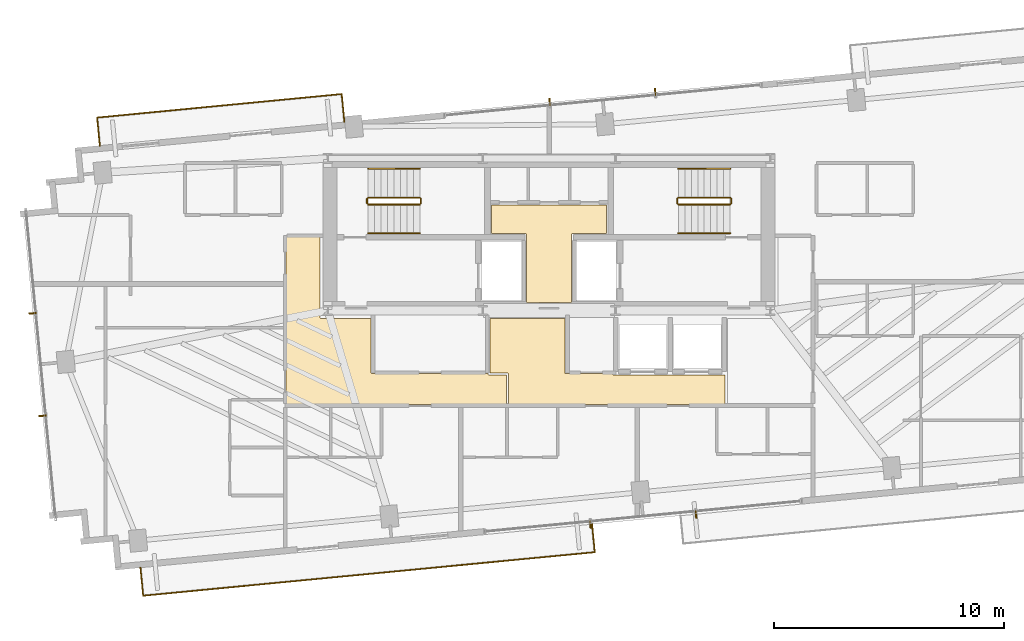
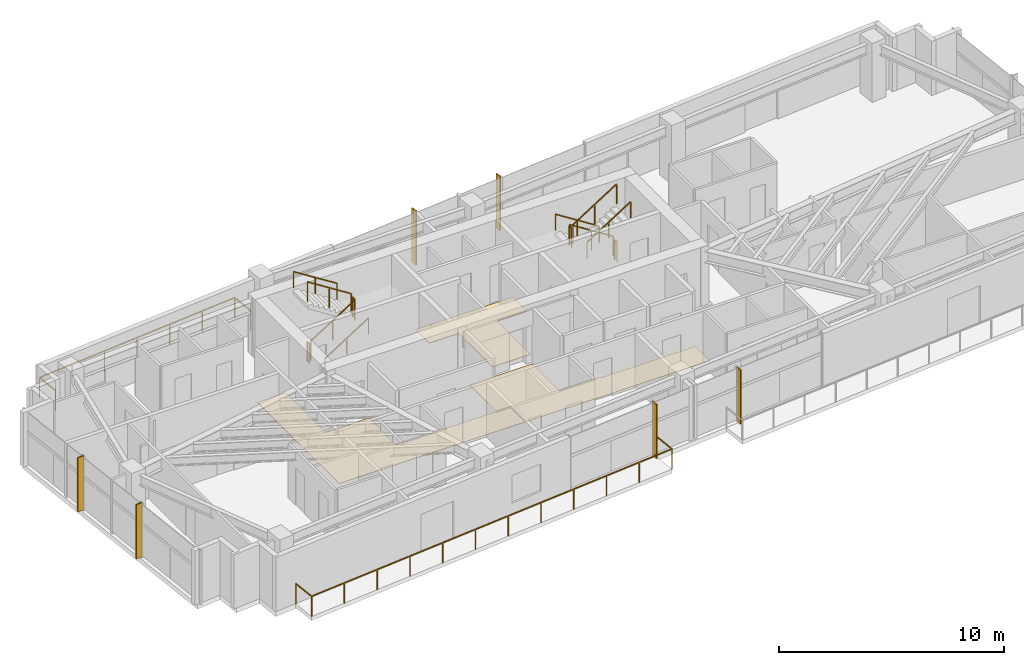
# One storey, part 17 of 18: 14 railings, 6 shading devices, 3 coverings.
"""IFC4 building model written with IfcOpenShell, lengths in metres."""

from ifc_helpers import new_model, si_unit, direction, frame, origin, origin_2d, place, context, subcontext, project, spatial, polyline, rectangle, outline, extrude, source, transform, mapped, material, layer, layer_set, type_object, type_shapes, element, save


model = new_model("IFC4")

# Units and contexts
model_context = context("Model", 3, precision=1e-05, world=origin(), true_north=direction((0.0, 1.0)))
body_context = subcontext(model_context, "Body", "Model", "MODEL_VIEW")
ifc_project = project(units=[si_unit("LENGTHUNIT", "METRE"), si_unit("AREAUNIT", "SQUARE_METRE"), si_unit("VOLUMEUNIT", "CUBIC_METRE"), si_unit("PLANEANGLEUNIT", "RADIAN"), si_unit("MASSUNIT", "GRAM", prefix="KILO")], contexts=[model_context])

# Site, building, storey
site_placement = place(None, origin())
site = spatial("IfcSite", under=ifc_project, at=site_placement, CompositionType="ELEMENT")
building_placement = place(site_placement, origin())
building = spatial("IfcBuilding", under=site, at=building_placement, Name="Astriad Promenade Condominiums", CompositionType="ELEMENT")
storey_placement = place(building_placement, frame((0.0, 0.0, 205.0)))
storey = spatial("IfcBuildingStorey", under=building, at=storey_placement, Name="L59", CompositionType="ELEMENT", Elevation=205.0)

# Coverings
ifc_material_1 = material(Name="Polished Lakefront Terrazzo Flooring")
ifc_layer = layer(ifc_material_1, 0.02001953125)
ifc_layer_set = layer_set([ifc_layer], Name="Polished Lakefront Terrazzo Flooring")
covering_type = type_object("IfcCoveringType", Name="COV-FLOR-TERRAZZO-20", PredefinedType="FLOORING", material=ifc_layer_set)
covering_1_placement = place(storey_placement, origin())
element("IfcCovering", 1, at=covering_1_placement, inside=storey, type_object=covering_type, Name="FLR-L59-CSL", PredefinedType="FLOORING", context=body_context, shape_type="SweptSolid", body=[
    extrude(outline(polyline([(36.97998046875, 20.699951171875), (36.97998046875, 17.739990234375), (35.02001953125, 17.739990234375), (35.02001953125, 20.699951171875), (35.019775390625, 20.703857421875), (35.019287109375, 20.707763671875), (35.018310546875, 20.711669921875), (35.01708984375, 20.71533203125), (35.015380859375, 20.718994140625), (35.01318359375, 20.72216796875), (35.010986328125, 20.725341796875), (35.00830078125, 20.728271484375), (35.00537109375, 20.73095703125), (35.002197265625, 20.7333984375), (34.998779296875, 20.7353515625), (34.995361328125, 20.737060546875), (34.99169921875, 20.73828125), (34.98779296875, 20.7392578125), (34.98388671875, 20.73974609375), (34.97998046875, 20.739990234375), (33.5, 20.739990234375), (33.5, 21.97998046875), (38.5, 21.97998046875), (38.5, 20.739990234375), (37.02001953125, 20.739990234375), (37.01611328125, 20.73974609375), (37.01220703125, 20.7392578125), (37.00830078125, 20.73828125), (37.004638671875, 20.737060546875), (37.001220703125, 20.7353515625), (36.997802734375, 20.7333984375), (36.99462890625, 20.73095703125), (36.99169921875, 20.728271484375), (36.989013671875, 20.725341796875), (36.98681640625, 20.72216796875), (36.984619140625, 20.718994140625), (36.98291015625, 20.71533203125), (36.981689453125, 20.711669921875), (36.980712890625, 20.707763671875), (36.980224609375, 20.703857421875), (36.97998046875, 20.699951171875)])), origin(), (0.0, 0.0, 1.0), 0.02001953125),
])
covering_2_placement = place(storey_placement, origin())
element("IfcCovering", 2, at=covering_2_placement, inside=storey, type_object=covering_type, Name="FLR-L59-LLB", PredefinedType="FLOORING", context=body_context, shape_type="SweptSolid", body=[
    extrude(outline(polyline([(43.639892578125, 14.610107421875), (43.639892578125, 13.320068359375), (34.239990234375, 13.320068359375), (34.239990234375, 14.64990234375), (34.23974609375, 14.65380859375), (34.2392578125, 14.65771484375), (34.23828125, 14.66162109375), (34.237060546875, 14.665283203125), (34.2353515625, 14.6689453125), (34.2333984375, 14.672119140625), (34.23095703125, 14.67529296875), (34.228271484375, 14.67822265625), (34.225341796875, 14.680908203125), (34.22216796875, 14.683349609375), (34.218994140625, 14.685302734375), (34.21533203125, 14.68701171875), (34.211669921875, 14.688232421875), (34.207763671875, 14.689208984375), (34.203857421875, 14.689697265625), (34.199951171875, 14.68994140625), (33.43994140625, 14.68994140625), (33.43994140625, 17.06005859375), (36.679931640625, 17.06005859375), (36.679931640625, 14.699951171875), (36.68017578125, 14.696044921875), (36.680908203125, 14.692138671875), (36.681640625, 14.6884765625), (36.68310546875, 14.684814453125), (36.684814453125, 14.68115234375), (36.686767578125, 14.677734375), (36.689208984375, 14.674560546875), (36.691650390625, 14.671630859375), (36.694580078125, 14.669189453125), (36.69775390625, 14.666748046875), (36.701171875, 14.664794921875), (36.70458984375, 14.6630859375), (36.70849609375, 14.66162109375), (36.712158203125, 14.660888671875), (36.716064453125, 14.66015625), (36.719970703125, 14.659912109375), (38.760009765625, 14.659912109375), (38.760009765625, 14.64990234375), (38.76025390625, 14.64599609375), (38.7607421875, 14.64208984375), (38.76171875, 14.638427734375), (38.762939453125, 14.634765625), (38.7646484375, 14.631103515625), (38.7666015625, 14.627685546875), (38.76904296875, 14.62451171875), (38.771728515625, 14.62158203125), (38.774658203125, 14.619140625), (38.77783203125, 14.61669921875), (38.781005859375, 14.61474609375), (38.78466796875, 14.613037109375), (38.788330078125, 14.61181640625), (38.792236328125, 14.61083984375), (38.796142578125, 14.610107421875), (38.800048828125, 14.610107421875), (43.639892578125, 14.610107421875)])), origin(), (0.0, 0.0, 1.0), 0.02001953125),
])
covering_3_placement = place(storey_placement, origin())
element("IfcCovering", 3, at=covering_3_placement, inside=storey, type_object=covering_type, Name="FLR-L59-COR-1", PredefinedType="FLOORING", context=body_context, shape_type="SweptSolid", body=[
    extrude(outline(polyline([(24.590087890625, 20.610107421875), (26.06005859375, 20.610107421875), (26.06005859375, 17.10009765625), (26.060302734375, 17.09619140625), (26.060791015625, 17.09228515625), (26.061767578125, 17.08837890625), (26.06298828125, 17.084716796875), (26.064697265625, 17.0810546875), (26.066650390625, 17.077880859375), (26.069091796875, 17.07470703125), (26.07177734375, 17.07177734375), (26.07470703125, 17.069091796875), (26.077880859375, 17.066650390625), (26.0810546875, 17.064697265625), (26.084716796875, 17.06298828125), (26.08837890625, 17.061767578125), (26.09228515625, 17.060791015625), (26.09619140625, 17.060302734375), (26.10009765625, 17.06005859375), (28.280029296875, 17.06005859375), (28.280029296875, 14.699951171875), (28.2802734375, 14.696044921875), (28.28076171875, 14.692138671875), (28.28173828125, 14.6884765625), (28.282958984375, 14.684814453125), (28.28466796875, 14.68115234375), (28.28662109375, 14.677734375), (28.2890625, 14.674560546875), (28.291748046875, 14.671630859375), (28.294677734375, 14.669189453125), (28.2978515625, 14.666748046875), (28.301025390625, 14.664794921875), (28.3046875, 14.6630859375), (28.308349609375, 14.66162109375), (28.312255859375, 14.660888671875), (28.316162109375, 14.66015625), (28.320068359375, 14.659912109375), (33.35009765625, 14.659912109375), (33.35009765625, 14.64892578125), (33.35009765625, 14.64501953125), (33.350830078125, 14.64111328125), (33.35107421875, 14.64013671875), (33.351318359375, 14.639404296875), (33.351318359375, 14.638427734375), (33.352294921875, 14.634521484375), (33.353759765625, 14.630859375), (33.3544921875, 14.629150390625), (33.356201171875, 14.6259765625), (33.356689453125, 14.625), (33.35888671875, 14.62158203125), (33.3603515625, 14.61962890625), (33.36083984375, 14.618896484375), (33.361083984375, 14.61865234375), (33.361328125, 14.618408203125), (33.361572265625, 14.617919921875), (33.36328125, 14.615966796875), (33.365966796875, 14.61328125), (33.367919921875, 14.611572265625), (33.368408203125, 14.611328125), (33.36865234375, 14.611083984375), (33.368896484375, 14.61083984375), (33.36962890625, 14.6103515625), (33.37158203125, 14.60888671875), (33.375, 14.606689453125), (33.3759765625, 14.606201171875), (33.379150390625, 14.6044921875), (33.3798828125, 14.604248046875), (33.380859375, 14.603759765625), (33.384521484375, 14.602294921875), (33.388427734375, 14.601318359375), (33.389404296875, 14.601318359375), (33.39013671875, 14.60107421875), (33.39111328125, 14.600830078125), (33.39501953125, 14.60009765625), (33.39892578125, 14.60009765625), (34.14990234375, 14.60009765625), (34.14990234375, 13.320068359375), (24.590087890625, 13.320068359375), (24.590087890625, 20.610107421875)])), origin(), (0.0, 0.0, 1.0), 0.02001953125),
])

# Shading devices
ifc_material_2 = material(Name="Anodised aluminium 6063-T6 Black Fin", Category="aluminium")
shading_device_type = type_object("IfcShadingDeviceType", Name="FIN-BLACK-260", PredefinedType="USERDEFINED", material=ifc_material_2)
shared_shape_1 = source(origin(), body_context, "Body", "SweptSolid", [
    extrude(rectangle(XDim=0.06494140625, YDim=0.320068359375, at=origin_2d()), origin(), (0.0, 0.0, 1.0), 2.93994140625),
])
type_shapes(shading_device_type, [shared_shape_1])
for number, where, z_axis, x_axis, name in (
    (4, (14.021484375, 12.83203125, 0.0), (0.0, 0.0, 1.0), (-0.09584575252, 0.995396198367, 0.0), "CW-L59-W-FIN-01"),
    (5, (13.59326171875, 17.278076171875, 0.0), (0.0, 0.0, 1.0), (-0.09584575252, 0.995396198367, 0.0), "CW-L59-W-FIN-02"),
    (6, (36.02783203125, 26.447265625, 0.0), (0.0, 0.0, 1.0), (0.995396198367, 0.09584575252, 0.0), "CW-L59-N-FIN-01"),
    (7, (40.606689453125, 26.88818359375, 0.0), (0.0, 0.0, 1.0), (0.995396198367, 0.09584575252, 0.0), "CW-L59-N-FIN-02"),
    (8, (42.3720703125, 8.552734375, 0.0), (0.0, 0.0, 1.0), (-0.995396198367, -0.09584575252, 0.0), "CW-L59-S-FIN-01"),
    (9, (37.793212890625, 8.11181640625, 0.0), (0.0, 0.0, 1.0), (-0.995396198367, -0.09584575252, 0.0), "CW-L59-S-FIN-02"),
):
    element("IfcShadingDevice", number, at=place(storey_placement, frame(where, z_axis=z_axis, x_axis=x_axis)), inside=storey, type_object=shading_device_type, Name=name, ObjectType="FIN", PredefinedType="USERDEFINED", context=body_context, shape_type="MappedRepresentation", body=[
        mapped(shared_shape_1, transform((0.0, 0.0, 0.0), scale=1.0)),
    ])

# Railings
ifc_material_3 = material(Name="Laminated Glass and Stainless Steel Balustrade", Category="steel")
railing_type_1 = type_object("IfcRailingType", Name="GRD-BALC-1120", PredefinedType="BALUSTRADE", material=ifc_material_3)
shared_shape_2 = source(origin(), body_context, "Body", "SweptSolid", [
    extrude(rectangle(XDim=0.048095703125, YDim=0.048095703125, at=origin_2d()), frame((0.0, 0.0, 1.09619140625), z_axis=(0.095857307208, -0.99539508571, 0.0), x_axis=(0.99539508571, 0.095857307208, 0.0)), (0.0, 0.0, 1.0), 1.219970703125),
    extrude(rectangle(XDim=0.048095703125, YDim=0.048095703125, at=origin_2d()), frame((0.116943359375, -1.21435546875, 1.09619140625), z_axis=(0.995395702872, 0.095850898295, 0.0), x_axis=(-0.095850898295, 0.995395702872, 0.0)), (0.0, 0.0, 1.0), 19.683837890625),
    extrude(rectangle(XDim=0.048095703125, YDim=0.048095703125, at=origin_2d()), frame((19.710205078125, 0.67236328125, 1.09619140625), z_axis=(-0.095857307208, 0.99539508571, 0.0), x_axis=(-0.99539508571, -0.095857307208, 0.0)), (0.0, 0.0, 1.0), 1.219970703125),
    extrude(rectangle(XDim=0.0419921875, YDim=0.0419921875, at=origin_2d()), origin(), (0.0, 0.0, 1.0), 1.072021484375),
    extrude(rectangle(XDim=0.0419921875, YDim=0.0419921875, at=origin_2d()), frame((0.116943359375, -1.21435546875, 0.0)), (0.0, 0.0, 1.0), 1.072021484375),
    extrude(rectangle(XDim=0.0419921875, YDim=0.0419921875, at=origin_2d()), frame((1.898193359375, -1.042724609375, 0.0)), (0.0, 0.0, 1.0), 1.072021484375),
    extrude(rectangle(XDim=0.0419921875, YDim=0.0419921875, at=origin_2d()), frame((3.679443359375, -0.871337890625, 0.0)), (0.0, 0.0, 1.0), 1.072021484375),
    extrude(rectangle(XDim=0.0419921875, YDim=0.0419921875, at=origin_2d()), frame((5.46044921875, -0.69970703125, 0.0)), (0.0, 0.0, 1.0), 1.072021484375),
    extrude(rectangle(XDim=0.0419921875, YDim=0.0419921875, at=origin_2d()), frame((7.24169921875, -0.5283203125, 0.0)), (0.0, 0.0, 1.0), 1.072021484375),
    extrude(rectangle(XDim=0.0419921875, YDim=0.0419921875, at=origin_2d()), frame((9.02294921875, -0.356689453125, 0.0)), (0.0, 0.0, 1.0), 1.072021484375),
    extrude(rectangle(XDim=0.0419921875, YDim=0.0419921875, at=origin_2d()), frame((10.80419921875, -0.185302734375, 0.0)), (0.0, 0.0, 1.0), 1.072021484375),
    extrude(rectangle(XDim=0.0419921875, YDim=0.0419921875, at=origin_2d()), frame((12.58544921875, -0.013671875, 0.0)), (0.0, 0.0, 1.0), 1.072021484375),
    extrude(rectangle(XDim=0.0419921875, YDim=0.0419921875, at=origin_2d()), frame((14.36669921875, 0.15771484375, 0.0)), (0.0, 0.0, 1.0), 1.072021484375),
    extrude(rectangle(XDim=0.0419921875, YDim=0.0419921875, at=origin_2d()), frame((16.147705078125, 0.329345703125, 0.0)), (0.0, 0.0, 1.0), 1.072021484375),
    extrude(rectangle(XDim=0.0419921875, YDim=0.0419921875, at=origin_2d()), frame((17.928955078125, 0.500732421875, 0.0)), (0.0, 0.0, 1.0), 1.072021484375),
    extrude(rectangle(XDim=0.0419921875, YDim=0.0419921875, at=origin_2d()), frame((19.710205078125, 0.67236328125, 0.0)), (0.0, 0.0, 1.0), 1.072021484375),
    extrude(rectangle(XDim=0.0419921875, YDim=0.0419921875, at=origin_2d()), frame((19.59326171875, 1.88671875, 0.0)), (0.0, 0.0, 1.0), 1.072021484375),
])
railing_1_placement = place(storey_placement, frame((18.271728515625, 6.2421875, 0.0)))
element("IfcRailing", 10, at=railing_1_placement, inside=storey, type_object=railing_type_1, Name="GRD-BALC-L59-SW", PredefinedType="BALUSTRADE", context=body_context, shape_type="MappedRepresentation", body=[
    mapped(shared_shape_2, transform((0.0, 0.0, 0.0), scale=1.0)),
])
shared_shape_3 = source(origin(), body_context, "Body", "SweptSolid", [
    extrude(rectangle(XDim=0.048095703125, YDim=0.048095703125, at=origin_2d()), frame((0.0, 0.0, 1.09619140625), z_axis=(-0.095857307208, 0.99539508571, 0.0), x_axis=(-0.99539508571, -0.095857307208, 0.0)), (0.0, 0.0, 1.0), 1.219970703125),
    extrude(rectangle(XDim=0.048095703125, YDim=0.048095703125, at=origin_2d()), frame((-0.116943359375, 1.21435546875, 1.09619140625), z_axis=(-0.995397063622, -0.095836766081, 0.0), x_axis=(0.095836766081, -0.995397063622, 0.0)), (0.0, 0.0, 1.0), 10.6611328125),
    extrude(rectangle(XDim=0.048095703125, YDim=0.048095703125, at=origin_2d()), frame((-10.72900390625, 0.192626953125, 1.09619140625), z_axis=(0.095857307208, -0.99539508571, 0.0), x_axis=(0.99539508571, 0.095857307208, 0.0)), (0.0, 0.0, 1.0), 1.219970703125),
    extrude(rectangle(XDim=0.0419921875, YDim=0.0419921875, at=origin_2d()), origin(), (0.0, 0.0, 1.0), 1.072021484375),
    extrude(rectangle(XDim=0.0419921875, YDim=0.0419921875, at=origin_2d()), frame((-0.116943359375, 1.21435546875, 0.0)), (0.0, 0.0, 1.0), 1.072021484375),
    extrude(rectangle(XDim=0.0419921875, YDim=0.0419921875, at=origin_2d()), frame((-1.8857421875, 1.0439453125, 0.0)), (0.0, 0.0, 1.0), 1.072021484375),
    extrude(rectangle(XDim=0.0419921875, YDim=0.0419921875, at=origin_2d()), frame((-3.654296875, 0.873779296875, 0.0)), (0.0, 0.0, 1.0), 1.072021484375),
    extrude(rectangle(XDim=0.0419921875, YDim=0.0419921875, at=origin_2d()), frame((-5.4228515625, 0.70361328125, 0.0)), (0.0, 0.0, 1.0), 1.072021484375),
    extrude(rectangle(XDim=0.0419921875, YDim=0.0419921875, at=origin_2d()), frame((-7.191650390625, 0.533203125, 0.0)), (0.0, 0.0, 1.0), 1.072021484375),
    extrude(rectangle(XDim=0.0419921875, YDim=0.0419921875, at=origin_2d()), frame((-8.96044921875, 0.36279296875, 0.0)), (0.0, 0.0, 1.0), 1.072021484375),
    extrude(rectangle(XDim=0.0419921875, YDim=0.0419921875, at=origin_2d()), frame((-10.72900390625, 0.192626953125, 0.0)), (0.0, 0.0, 1.0), 1.072021484375),
    extrude(rectangle(XDim=0.0419921875, YDim=0.0419921875, at=origin_2d()), frame((-10.612060546875, -1.021728515625, 0.0)), (0.0, 0.0, 1.0), 1.072021484375),
])
type_shapes(railing_type_1, [shared_shape_2, shared_shape_3])
railing_2_placement = place(storey_placement, frame((27.1201171875, 25.579345703125, 0.0)))
element("IfcRailing", 11, at=railing_2_placement, inside=storey, type_object=railing_type_1, Name="GRD-BALC-L59-NW", PredefinedType="BALUSTRADE", context=body_context, shape_type="MappedRepresentation", body=[
    mapped(shared_shape_3, transform((0.0, 0.0, 0.0), scale=1.0)),
])
ifc_material_4 = material(Name="Painted Galvanised Steel Guardrail", Category="steel")
railing_type_2 = type_object("IfcRailingType", Name="GRD-STAIR-1100", PredefinedType="GUARDRAIL", material=ifc_material_4)
shared_shape_4 = source(origin(), body_context, "Body", "SweptSolid", [
    extrude(rectangle(XDim=0.048095703125, YDim=0.048095703125, at=origin_2d()), frame((0.0, 0.0, 1.076171875), z_axis=(0.0, 1.0, 0.0), x_axis=(-1.0, 0.0, 0.0)), (0.0, 0.0, 1.0), 0.199951171875),
    extrude(rectangle(XDim=0.0419921875, YDim=0.0419921875, at=origin_2d()), origin(), (0.0, 0.0, 1.0), 1.052001953125),
    extrude(rectangle(XDim=0.0419921875, YDim=0.0419921875, at=origin_2d()), frame((0.0, 0.199951171875, 0.0)), (0.0, 0.0, 1.0), 1.052001953125),
])
for number, where, name in (
    (12, (30.43994140625, 22.050048828125, 1.60009765625), "L59 ST-1 stair guard 2"),
    (13, (28.10009765625, 22.050048828125, 0.0), "L59 ST-1 stair guard 4"),
):
    element("IfcRailing", number, at=place(storey_placement, frame(where)), inside=storey, type_object=railing_type_2, Name=name, PredefinedType="GUARDRAIL", context=body_context, shape_type="MappedRepresentation", body=[
        mapped(shared_shape_4, transform((0.0, 0.0, 0.0), scale=1.0)),
    ])
shared_shape_5 = source(origin(), body_context, "Body", "SweptSolid", [
    extrude(rectangle(XDim=0.048095703125, YDim=0.048095703125, at=origin_2d()), frame((0.0, 0.0, 1.076171875), z_axis=(0.84418770128, 0.0, 0.536047689118), x_axis=(0.0, 1.0, 0.0)), (0.0, 0.0, 1.0), 2.6533203125),
    extrude(rectangle(XDim=0.0419921875, YDim=0.0419921875, at=origin_2d()), origin(), (0.0, 0.0, 1.0), 1.052001953125),
    extrude(rectangle(XDim=0.0419921875, YDim=0.0419921875, at=origin_2d()), frame((1.1201171875, 0.0, 0.711181640625)), (0.0, 0.0, 1.0), 1.052001953125),
    extrude(rectangle(XDim=0.0419921875, YDim=0.0419921875, at=origin_2d()), frame((2.239990234375, 0.0, 1.42236328125)), (0.0, 0.0, 1.0), 1.052001953125),
])
railing_3_placement = place(storey_placement, frame((28.14990234375, 22.0, 0.177734375)))
element("IfcRailing", 14, at=railing_3_placement, inside=storey, type_object=railing_type_2, Name="L59 ST-1 stair guard 1", PredefinedType="GUARDRAIL", context=body_context, shape_type="MappedRepresentation", body=[
    mapped(shared_shape_5, transform((0.0, 0.0, 0.0), scale=1.0)),
])
shared_shape_6 = source(origin(), body_context, "Body", "SweptSolid", [
    extrude(rectangle(XDim=0.048095703125, YDim=0.048095703125, at=origin_2d()), frame((0.0, 0.0, 1.076171875), z_axis=(-0.8442293374, 0.0, 0.53598211339), x_axis=(0.0, -1.0, 0.0)), (0.0, 0.0, 1.0), 2.6533203125),
    extrude(rectangle(XDim=0.0419921875, YDim=0.0419921875, at=origin_2d()), origin(), (0.0, 0.0, 1.0), 1.052001953125),
    extrude(rectangle(XDim=0.0419921875, YDim=0.0419921875, at=origin_2d()), frame((-1.1201171875, 0.0, 0.7109375)), (0.0, 0.0, 1.0), 1.052001953125),
    extrude(rectangle(XDim=0.0419921875, YDim=0.0419921875, at=origin_2d()), frame((-2.239990234375, 0.0, 1.422119140625)), (0.0, 0.0, 1.0), 1.052001953125),
])
railing_4_placement = place(storey_placement, frame((30.389892578125, 22.300048828125, 1.77783203125)))
element("IfcRailing", 15, at=railing_4_placement, inside=storey, type_object=railing_type_2, Name="L59 ST-1 stair guard 3", PredefinedType="GUARDRAIL", context=body_context, shape_type="MappedRepresentation", body=[
    mapped(shared_shape_6, transform((0.0, 0.0, 0.0), scale=1.0)),
])
ifc_material_5 = material(Name="Brushed Stainless Steel Handrail", Category="steel")
railing_type_3 = type_object("IfcRailingType", Name="HRL-STAIR-920", PredefinedType="HANDRAIL", material=ifc_material_5)
shared_shape_7 = source(origin(), body_context, "Body", "SweptSolid", [
    extrude(rectangle(XDim=0.048095703125, YDim=0.048095703125, at=origin_2d()), frame((0.0, 0.0, 0.8759765625), z_axis=(0.84418770128, 0.0, 0.536047689118), x_axis=(0.0, 1.0, 0.0)), (0.0, 0.0, 1.0), 2.6533203125),
    extrude(rectangle(XDim=0.0419921875, YDim=0.0419921875, at=origin_2d()), origin(), (0.0, 0.0, 1.0), 0.851806640625),
    extrude(rectangle(XDim=0.0419921875, YDim=0.0419921875, at=origin_2d()), frame((1.1201171875, 0.0, 0.711181640625)), (0.0, 0.0, 1.0), 0.851806640625),
    extrude(rectangle(XDim=0.0419921875, YDim=0.0419921875, at=origin_2d()), frame((2.239990234375, 0.0, 1.42236328125)), (0.0, 0.0, 1.0), 0.851806640625),
])
railing_5_placement = place(storey_placement, frame((28.14990234375, 20.75, 0.177734375)))
element("IfcRailing", 16, at=railing_5_placement, inside=storey, type_object=railing_type_3, Name="L59 ST-1 stair handrail 1", PredefinedType="HANDRAIL", context=body_context, shape_type="MappedRepresentation", body=[
    mapped(shared_shape_7, transform((0.0, 0.0, 0.0), scale=1.0)),
])
shared_shape_8 = source(origin(), body_context, "Body", "SweptSolid", [
    extrude(rectangle(XDim=0.048095703125, YDim=0.048095703125, at=origin_2d()), frame((0.0, 0.0, 0.8759765625), z_axis=(-0.8442293374, 0.0, 0.53598211339), x_axis=(0.0, -1.0, 0.0)), (0.0, 0.0, 1.0), 2.6533203125),
    extrude(rectangle(XDim=0.0419921875, YDim=0.0419921875, at=origin_2d()), origin(), (0.0, 0.0, 1.0), 0.851806640625),
    extrude(rectangle(XDim=0.0419921875, YDim=0.0419921875, at=origin_2d()), frame((-1.1201171875, 0.0, 0.7109375)), (0.0, 0.0, 1.0), 0.851806640625),
    extrude(rectangle(XDim=0.0419921875, YDim=0.0419921875, at=origin_2d()), frame((-2.239990234375, 0.0, 1.422119140625)), (0.0, 0.0, 1.0), 0.851806640625),
])
railing_6_placement = place(storey_placement, frame((30.389892578125, 23.550048828125, 1.77783203125)))
element("IfcRailing", 17, at=railing_6_placement, inside=storey, type_object=railing_type_3, Name="L59 ST-1 stair handrail 2", PredefinedType="HANDRAIL", context=body_context, shape_type="MappedRepresentation", body=[
    mapped(shared_shape_8, transform((0.0, 0.0, 0.0), scale=1.0)),
])
shared_shape_9 = source(origin(), body_context, "Body", "SweptSolid", [
    extrude(rectangle(XDim=0.048095703125, YDim=0.048095703125, at=origin_2d()), frame((0.0, 0.0, 1.076171875), z_axis=(0.8442293374, 0.0, 0.53598211339), x_axis=(0.0, 1.0, 0.0)), (0.0, 0.0, 1.0), 2.6533203125),
    extrude(rectangle(XDim=0.0419921875, YDim=0.0419921875, at=origin_2d()), origin(), (0.0, 0.0, 1.0), 1.052001953125),
    extrude(rectangle(XDim=0.0419921875, YDim=0.0419921875, at=origin_2d()), frame((1.1201171875, 0.0, 0.7109375)), (0.0, 0.0, 1.0), 1.052001953125),
    extrude(rectangle(XDim=0.0419921875, YDim=0.0419921875, at=origin_2d()), frame((2.239990234375, 0.0, 1.422119140625)), (0.0, 0.0, 1.0), 1.052001953125),
])
railing_7_placement = place(storey_placement, frame((41.610107421875, 22.0, 1.77783203125)))
element("IfcRailing", 18, at=railing_7_placement, inside=storey, type_object=railing_type_2, Name="L59 ST-2 stair guard 3", PredefinedType="GUARDRAIL", context=body_context, shape_type="MappedRepresentation", body=[
    mapped(shared_shape_9, transform((0.0, 0.0, 0.0), scale=1.0)),
])
shared_shape_10 = source(origin(), body_context, "Body", "SweptSolid", [
    extrude(rectangle(XDim=0.048095703125, YDim=0.048095703125, at=origin_2d()), frame((0.0, 0.0, 1.076171875), z_axis=(-0.84418770128, 0.0, 0.536047689118), x_axis=(0.0, -1.0, 0.0)), (0.0, 0.0, 1.0), 2.6533203125),
    extrude(rectangle(XDim=0.0419921875, YDim=0.0419921875, at=origin_2d()), origin(), (0.0, 0.0, 1.0), 1.052001953125),
    extrude(rectangle(XDim=0.0419921875, YDim=0.0419921875, at=origin_2d()), frame((-1.1201171875, 0.0, 0.711181640625)), (0.0, 0.0, 1.0), 1.052001953125),
    extrude(rectangle(XDim=0.0419921875, YDim=0.0419921875, at=origin_2d()), frame((-2.239990234375, 0.0, 1.42236328125)), (0.0, 0.0, 1.0), 1.052001953125),
])
railing_8_placement = place(storey_placement, frame((43.85009765625, 22.300048828125, 0.177734375)))
element("IfcRailing", 19, at=railing_8_placement, inside=storey, type_object=railing_type_2, Name="L59 ST-2 stair guard 1", PredefinedType="GUARDRAIL", context=body_context, shape_type="MappedRepresentation", body=[
    mapped(shared_shape_10, transform((0.0, 0.0, 0.0), scale=1.0)),
])
shared_shape_11 = source(origin(), body_context, "Body", "SweptSolid", [
    extrude(rectangle(XDim=0.048095703125, YDim=0.048095703125, at=origin_2d()), frame((0.0, 0.0, 0.8759765625), z_axis=(0.8442293374, 0.0, 0.53598211339), x_axis=(0.0, 1.0, 0.0)), (0.0, 0.0, 1.0), 2.6533203125),
    extrude(rectangle(XDim=0.0419921875, YDim=0.0419921875, at=origin_2d()), origin(), (0.0, 0.0, 1.0), 0.851806640625),
    extrude(rectangle(XDim=0.0419921875, YDim=0.0419921875, at=origin_2d()), frame((1.1201171875, 0.0, 0.7109375)), (0.0, 0.0, 1.0), 0.851806640625),
    extrude(rectangle(XDim=0.0419921875, YDim=0.0419921875, at=origin_2d()), frame((2.239990234375, 0.0, 1.422119140625)), (0.0, 0.0, 1.0), 0.851806640625),
])
railing_9_placement = place(storey_placement, frame((41.610107421875, 20.75, 1.77783203125)))
element("IfcRailing", 20, at=railing_9_placement, inside=storey, type_object=railing_type_3, Name="L59 ST-2 stair handrail 2", PredefinedType="HANDRAIL", context=body_context, shape_type="MappedRepresentation", body=[
    mapped(shared_shape_11, transform((0.0, 0.0, 0.0), scale=1.0)),
])
shared_shape_12 = source(origin(), body_context, "Body", "SweptSolid", [
    extrude(rectangle(XDim=0.048095703125, YDim=0.048095703125, at=origin_2d()), frame((0.0, 0.0, 0.8759765625), z_axis=(-0.84418770128, 0.0, 0.536047689118), x_axis=(0.0, -1.0, 0.0)), (0.0, 0.0, 1.0), 2.6533203125),
    extrude(rectangle(XDim=0.0419921875, YDim=0.0419921875, at=origin_2d()), origin(), (0.0, 0.0, 1.0), 0.851806640625),
    extrude(rectangle(XDim=0.0419921875, YDim=0.0419921875, at=origin_2d()), frame((-1.1201171875, 0.0, 0.711181640625)), (0.0, 0.0, 1.0), 0.851806640625),
    extrude(rectangle(XDim=0.0419921875, YDim=0.0419921875, at=origin_2d()), frame((-2.239990234375, 0.0, 1.42236328125)), (0.0, 0.0, 1.0), 0.851806640625),
])
type_shapes(railing_type_3, [shared_shape_7, shared_shape_8, shared_shape_11, shared_shape_12])
railing_10_placement = place(storey_placement, frame((43.85009765625, 23.550048828125, 0.177734375)))
element("IfcRailing", 21, at=railing_10_placement, inside=storey, type_object=railing_type_3, Name="L59 ST-2 stair handrail 1", PredefinedType="HANDRAIL", context=body_context, shape_type="MappedRepresentation", body=[
    mapped(shared_shape_12, transform((0.0, 0.0, 0.0), scale=1.0)),
])
shared_shape_13 = source(origin(), body_context, "Body", "SweptSolid", [
    extrude(rectangle(XDim=0.048095703125, YDim=0.048095703125, at=origin_2d()), frame((0.0, 0.0, 1.076171875), z_axis=(0.0, -1.0, 0.0), x_axis=(1.0, 0.0, 0.0)), (0.0, 0.0, 1.0), 0.199951171875),
    extrude(rectangle(XDim=0.0419921875, YDim=0.0419921875, at=origin_2d()), origin(), (0.0, 0.0, 1.0), 1.052001953125),
    extrude(rectangle(XDim=0.0419921875, YDim=0.0419921875, at=origin_2d()), frame((0.0, -0.199951171875, 0.0)), (0.0, 0.0, 1.0), 1.052001953125),
])
type_shapes(railing_type_2, [shared_shape_4, shared_shape_5, shared_shape_6, shared_shape_9, shared_shape_10, shared_shape_13])
for number, where, name in (
    (22, (41.56005859375, 22.25, 1.60009765625), "L59 ST-2 stair guard 2"),
    (23, (43.89990234375, 22.25, 0.0), "L59 ST-2 stair guard 4"),
):
    element("IfcRailing", number, at=place(storey_placement, frame(where)), inside=storey, type_object=railing_type_2, Name=name, PredefinedType="GUARDRAIL", context=body_context, shape_type="MappedRepresentation", body=[
        mapped(shared_shape_13, transform((0.0, 0.0, 0.0), scale=1.0)),
    ])

save(model, "model.ifc")
